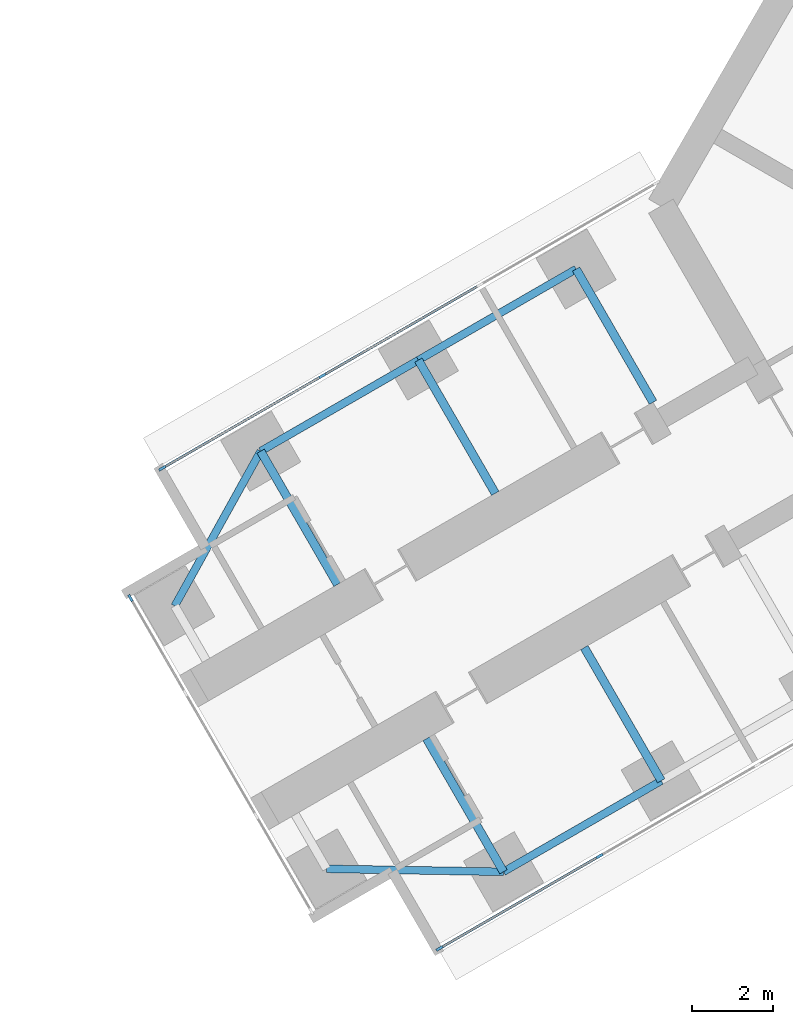
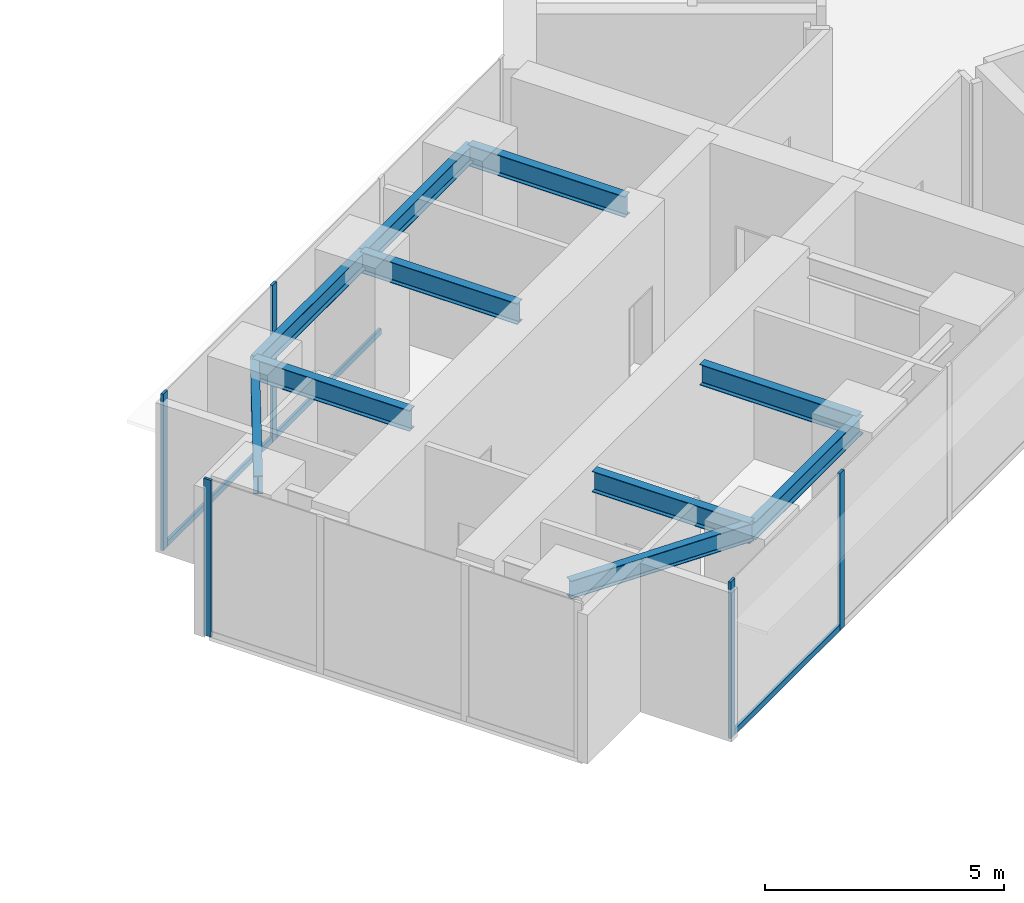
# One storey, part 4 of 24: 10 beams, 8 members, 3 elements without a shape of their own.
"""IFC4 building model written with IfcOpenShell, lengths in metres."""

from ifc_helpers import new_model, si_unit, direction, frame, origin, origin_2d, place, context, subcontext, project, spatial, rectangle, i_section, extrude, material, material_profile, profile_set, type_object, element, aggregate, save


model = new_model("IFC4")

# Units and contexts
model_context = context("Model", 3, precision=1e-05, world=origin(), true_north=direction((0.0, 1.0)))
body_context = subcontext(model_context, "Body", "Model", "MODEL_VIEW")
ifc_project = project(units=[si_unit("LENGTHUNIT", "METRE"), si_unit("AREAUNIT", "SQUARE_METRE"), si_unit("VOLUMEUNIT", "CUBIC_METRE"), si_unit("PLANEANGLEUNIT", "RADIAN"), si_unit("MASSUNIT", "GRAM", prefix="KILO")], contexts=[model_context])

# Site, building, storey
site_placement = place(None, origin())
site = spatial("IfcSite", under=ifc_project, at=site_placement, CompositionType="ELEMENT")
building_placement = place(site_placement, origin())
building = spatial("IfcBuilding", under=site, at=building_placement, Name="Upepo Twin Towers", CompositionType="ELEMENT")
storey_placement = place(building_placement, frame((0.0, 0.0, 52.5)))
storey = spatial("IfcBuildingStorey", under=building, at=storey_placement, Name="L12", CompositionType="ELEMENT", Elevation=52.5)

# Beams
ifc_material_1 = material(Name="Steel S355", Category="steel")
ifc_material_profile_1 = material_profile(ifc_material_1, i_section(OverallWidth=0.1904296875, OverallDepth=0.45703125, WebThickness=0.009033203125, FlangeThickness=0.014404296875, FilletRadius=0.01025390625, at=origin_2d()), Name="UB 457x191x74")
ifc_profile_set_1 = profile_set([ifc_material_profile_1], Name="Steel S355")
beam_type_1 = type_object("IfcBeamType", Name="Beam UB 457x191x74", PredefinedType="BEAM", material=ifc_profile_set_1)
beam_1_placement = place(storey_placement, frame((45.91162109375, -32.196044921875, 3.571533203125), z_axis=(-0.866031096941, -0.499990139034, 0.0), x_axis=(0.499990139034, -0.866031096941, 0.0)))
element("IfcBeam", 1, at=beam_1_placement, inside=storey, type_object=beam_type_1, Name="T2 edge beam BL 18.0-22.5", PredefinedType="BEAM", context=body_context, shape_type="SweptSolid", body=[
    extrude(i_section(OverallWidth=0.1904296875, OverallDepth=0.45703125, WebThickness=0.009033203125, FlangeThickness=0.014404296875, FilletRadius=0.01025390625, at=origin_2d()), origin(), (0.0, 0.0, 1.0), 4.5),
])
beam_2_placement = place(storey_placement, frame((42.014404296875, -34.446044921875, 3.571533203125), z_axis=(-0.999858804832, 0.016803880528, 0.0), x_axis=(-0.016803880528, -0.999858804832, 0.0)))
element("IfcBeam", 2, at=beam_2_placement, inside=storey, type_object=beam_type_1, Name="T2 nose edge beam BL", PredefinedType="BEAM", context=body_context, shape_type="SweptSolid", body=[
    extrude(i_section(OverallWidth=0.1904296875, OverallDepth=0.45703125, WebThickness=0.009033203125, FlangeThickness=0.014404296875, FilletRadius=0.01025390625, at=origin_2d()), origin(), (0.0, 0.0, 1.0), 4.373291015625),
])
beam_3_placement = place(storey_placement, frame((43.80859375, -19.553955078125, 3.571533203125), z_axis=(-0.866017533419, -0.500013631625, 0.0), x_axis=(0.500013631625, -0.866017533419, 0.0)))
element("IfcBeam", 3, at=beam_3_placement, inside=storey, type_object=beam_type_1, Name="T2 edge beam BR 13.5-18.0", PredefinedType="BEAM", context=body_context, shape_type="SweptSolid", body=[
    extrude(i_section(OverallWidth=0.1904296875, OverallDepth=0.45703125, WebThickness=0.009033203125, FlangeThickness=0.014404296875, FilletRadius=0.01025390625, at=origin_2d()), origin(), (0.0, 0.0, 1.0), 4.499755859375),
])
beam_4_placement = place(storey_placement, frame((39.91162109375, -21.803955078125, 3.571533203125), z_axis=(-0.866031096941, -0.499990139034, 0.0), x_axis=(0.499990139034, -0.866031096941, 0.0)))
element("IfcBeam", 4, at=beam_4_placement, inside=storey, type_object=beam_type_1, Name="T2 edge beam BR 18.0-22.5", PredefinedType="BEAM", context=body_context, shape_type="SweptSolid", body=[
    extrude(i_section(OverallWidth=0.1904296875, OverallDepth=0.45703125, WebThickness=0.009033203125, FlangeThickness=0.014404296875, FilletRadius=0.01025390625, at=origin_2d()), origin(), (0.0, 0.0, 1.0), 4.5),
])
beam_5_placement = place(storey_placement, frame((36.014404296875, -24.053955078125, 3.571533203125), z_axis=(-0.485363242752, -0.874312600038, 0.0), x_axis=(0.874312600038, -0.485363242752, 0.0)))
element("IfcBeam", 5, at=beam_5_placement, inside=storey, type_object=beam_type_1, Name="T2 nose edge beam BR", PredefinedType="BEAM", context=body_context, shape_type="SweptSolid", body=[
    extrude(i_section(OverallWidth=0.1904296875, OverallDepth=0.45703125, WebThickness=0.009033203125, FlangeThickness=0.014404296875, FilletRadius=0.01025390625, at=origin_2d()), origin(), (0.0, 0.0, 1.0), 4.373046875),
])
ifc_material_2 = material(Name="Steel S355", Category="steel")
ifc_material_profile_2 = material_profile(ifc_material_2, i_section(OverallWidth=0.209228515625, OverallDepth=0.533203125, WebThickness=0.010009765625, FlangeThickness=0.015625, FilletRadius=0.0126953125, at=origin_2d()), Name="UB 533x210x92")
ifc_profile_set_2 = profile_set([ifc_material_profile_2], Name="Steel S355")
beam_type_2 = type_object("IfcBeamType", Name="Beam UB 533x210x92", PredefinedType="BEAM", material=ifc_profile_set_2)
beam_6_placement = place(storey_placement, frame((45.91162109375, -32.196044921875, 3.533447265625), z_axis=(-0.500043160704, 0.866000483506, 0.0), x_axis=(-0.866000483506, -0.500043160704, 0.0)))
element("IfcBeam", 6, at=beam_6_placement, inside=storey, type_object=beam_type_2, Name="T2 girder BL at 18.0", PredefinedType="BEAM", context=body_context, shape_type="SweptSolid", body=[
    extrude(i_section(OverallWidth=0.209228515625, OverallDepth=0.533203125, WebThickness=0.010009765625, FlangeThickness=0.015625, FilletRadius=0.0126953125, at=origin_2d()), origin(), (0.0, 0.0, 1.0), 3.800048828125),
])
beam_7_placement = place(storey_placement, frame((42.014404296875, -34.446044921875, 3.533447265625), z_axis=(-0.499994975061, 0.866028304915, 0.0), x_axis=(-0.866028304915, -0.499994975061, 0.0)))
element("IfcBeam", 7, at=beam_7_placement, inside=storey, type_object=beam_type_2, Name="T2 girder BL at 22.5", PredefinedType="BEAM", context=body_context, shape_type="SweptSolid", body=[
    extrude(i_section(OverallWidth=0.209228515625, OverallDepth=0.533203125, WebThickness=0.010009765625, FlangeThickness=0.015625, FilletRadius=0.0126953125, at=origin_2d()), origin(), (0.0, 0.0, 1.0), 3.7998046875),
])
beam_8_placement = place(storey_placement, frame((43.80859375, -19.553955078125, 3.533447265625), z_axis=(0.500043160704, -0.866000483506, 0.0), x_axis=(0.866000483506, 0.500043160704, 0.0)))
element("IfcBeam", 8, at=beam_8_placement, inside=storey, type_object=beam_type_2, Name="T2 girder BR at 13.5", PredefinedType="BEAM", context=body_context, shape_type="SweptSolid", body=[
    extrude(i_section(OverallWidth=0.209228515625, OverallDepth=0.533203125, WebThickness=0.010009765625, FlangeThickness=0.015625, FilletRadius=0.0126953125, at=origin_2d()), origin(), (0.0, 0.0, 1.0), 3.800048828125),
])
for number, where, z_axis, x_axis, name in (
    (9, (39.91162109375, -21.803955078125, 3.533447265625), (0.499994975061, -0.866028304915, 0.0), (0.866028304915, 0.499994975061, 0.0), "T2 girder BR at 18.0"),
    (10, (36.014404296875, -24.053955078125, 3.533447265625), (0.499994975061, -0.866028304915, 0.0), (0.866028304915, 0.499994975061, 0.0), "T2 girder BR at 22.5"),
):
    element("IfcBeam", number, at=place(storey_placement, frame(where, z_axis=z_axis, x_axis=x_axis)), inside=storey, type_object=beam_type_2, Name=name, PredefinedType="BEAM", context=body_context, shape_type="SweptSolid", body=[
        extrude(i_section(OverallWidth=0.209228515625, OverallDepth=0.533203125, WebThickness=0.010009765625, FlangeThickness=0.015625, FilletRadius=0.0126953125, at=origin_2d()), origin(), (0.0, 0.0, 1.0), 3.7998046875),
    ])

# Curtain wall, members
ifc_material_3 = material(Name="Aluminium and fritted glass", Category="aluminium")
curtain_wall_type = type_object("IfcCurtainWallType", Name="Tower curtain wall TW1, fritted glass", PredefinedType="NOTDEFINED", material=ifc_material_3)
curtain_wall_1_placement = place(storey_placement, origin())
curtain_wall_1 = element("IfcCurtainWall", 11, at=curtain_wall_1_placement, inside=storey, type_object=curtain_wall_type, Name="T2 L12 wing B flank L curtain wall", PredefinedType="NOTDEFINED")
ifc_material_4 = material(Name="Aluminium mullion", Category="aluminium")
ifc_material_profile_3 = material_profile(ifc_material_4, rectangle(XDim=0.06494140625, YDim=0.179931640625, at=origin_2d()), Name="MULLION 65x180")
ifc_profile_set_3 = profile_set([ifc_material_profile_3], Name="Aluminium mullion")
member_type_1 = type_object("IfcMemberType", Name="Mullion 65x180 TW1", PredefinedType="MULLION", material=ifc_profile_set_3)
member_1_placement = place(storey_placement, frame((44.387939453125, -34.057373046875, 0.0), z_axis=(0.0, 0.0, 1.0), x_axis=(0.500000024426, -0.866025389682, 0.0)))
member_1 = element("IfcMember", 12, at=member_1_placement, type_object=member_type_1, Name="T2 L12 wing B flank L curtain wall mullion 3", PredefinedType="MULLION", context=body_context, shape_type="SweptSolid", body=[
    extrude(rectangle(XDim=0.06494140625, YDim=0.179931640625, at=origin_2d()), origin(), (0.0, 0.0, 1.0), 4.0),
])
member_2_placement = place(storey_placement, frame((40.432373046875, -36.341064453125, 0.0), z_axis=(0.0, 0.0, 1.0), x_axis=(0.500000024426, -0.866025389682, 0.0)))
member_2 = element("IfcMember", 13, at=member_2_placement, type_object=member_type_1, Name="T2 L12 wing B flank L curtain wall mullion 4", PredefinedType="MULLION", context=body_context, shape_type="SweptSolid", body=[
    extrude(rectangle(XDim=0.06494140625, YDim=0.179931640625, at=origin_2d()), origin(), (0.0, 0.0, 1.0), 4.0),
])

curtain_wall_2_placement = place(storey_placement, origin())
curtain_wall_2 = element("IfcCurtainWall", 14, at=curtain_wall_2_placement, inside=storey, type_object=curtain_wall_type, Name="T2 L12 wing B flank R curtain wall", PredefinedType="NOTDEFINED")
member_3_placement = place(storey_placement, frame((33.58251953125, -24.4765625, 0.0), z_axis=(0.0, 0.0, 1.0), x_axis=(-0.500000024426, 0.866025389682, 0.0)))
member_3 = element("IfcMember", 15, at=member_3_placement, type_object=member_type_1, Name="T2 L12 wing B flank R curtain wall mullion 1", PredefinedType="MULLION", context=body_context, shape_type="SweptSolid", body=[
    extrude(rectangle(XDim=0.06494140625, YDim=0.179931640625, at=origin_2d()), origin(), (0.0, 0.0, 1.0), 4.0),
])
member_4_placement = place(storey_placement, frame((37.5380859375, -22.192626953125, 0.0), z_axis=(0.0, 0.0, 1.0), x_axis=(-0.500000024426, 0.866025389682, 0.0)))
member_4 = element("IfcMember", 16, at=member_4_placement, type_object=member_type_1, Name="T2 L12 wing B flank R curtain wall mullion 2", PredefinedType="MULLION", context=body_context, shape_type="SweptSolid", body=[
    extrude(rectangle(XDim=0.06494140625, YDim=0.179931640625, at=origin_2d()), origin(), (0.0, 0.0, 1.0), 4.0),
])

# Curtain wall, member
curtain_wall_3_placement = place(storey_placement, origin())
curtain_wall_3 = element("IfcCurtainWall", 17, at=curtain_wall_3_placement, inside=storey, type_object=curtain_wall_type, Name="T2 L12 wing B nose curtain wall", PredefinedType="NOTDEFINED")
member_5_placement = place(storey_placement, frame((32.796875, -27.68115234375, 0.0), z_axis=(0.0, 0.0, 1.0), x_axis=(0.866025386174, 0.500000030502, 0.0)))
member_5 = element("IfcMember", 18, at=member_5_placement, type_object=member_type_1, Name="T2 L12 wing B nose curtain wall mullion 1", PredefinedType="MULLION", context=body_context, shape_type="SweptSolid", body=[
    extrude(rectangle(XDim=0.06494140625, YDim=0.179931640625, at=origin_2d()), origin(), (0.0, 0.0, 1.0), 4.0),
])
aggregate(curtain_wall_3, [member_5])

# Member
ifc_material_5 = material(Name="Aluminium transom", Category="aluminium")
ifc_material_profile_4 = material_profile(ifc_material_5, rectangle(XDim=0.06494140625, YDim=0.14990234375, at=origin_2d()), Name="TRANSOM 65x150")
ifc_profile_set_4 = profile_set([ifc_material_profile_4], Name="Aluminium transom")
member_type_2 = type_object("IfcMemberType", Name="Transom 65x150 TW1", PredefinedType="USERDEFINED", material=ifc_profile_set_4)
member_6_placement = place(storey_placement, frame((44.35986328125, -34.073486328125, 0.074951171875), z_axis=(-0.866035699072, -0.499982167615, 0.0), x_axis=(0.499982167615, -0.866035699072, 0.0)))
member_6 = element("IfcMember", 19, at=member_6_placement, type_object=member_type_2, Name="T2 L12 wing B flank L curtain wall transom 3", ObjectType="TRANSOM", PredefinedType="USERDEFINED", context=body_context, shape_type="SweptSolid", body=[
    extrude(rectangle(XDim=0.06494140625, YDim=0.14990234375, at=origin_2d()), origin(), (0.0, 0.0, 1.0), 4.502685546875),
])

aggregate(curtain_wall_1, [member_1, member_2, member_6])

member_7_placement = place(storey_placement, frame((33.610595703125, -24.460205078125, 0.074951171875), z_axis=(0.866022143554, 0.500005646842, 0.0), x_axis=(-0.500005646842, 0.866022143554, 0.0)))
member_7 = element("IfcMember", 20, at=member_7_placement, type_object=member_type_2, Name="T2 L12 wing B flank R curtain wall transom 1", ObjectType="TRANSOM", PredefinedType="USERDEFINED", context=body_context, shape_type="SweptSolid", body=[
    extrude(rectangle(XDim=0.06494140625, YDim=0.14990234375, at=origin_2d()), origin(), (0.0, 0.0, 1.0), 4.50244140625),
])

member_8_placement = place(storey_placement, frame((37.566162109375, -22.176513671875, 0.074951171875), z_axis=(0.866022410713, 0.500005184116, 0.0), x_axis=(-0.500005184116, 0.866022410713, 0.0)))
member_8 = element("IfcMember", 21, at=member_8_placement, type_object=member_type_2, Name="T2 L12 wing B flank R curtain wall transom 2", ObjectType="TRANSOM", PredefinedType="USERDEFINED", context=body_context, shape_type="SweptSolid", body=[
    extrude(rectangle(XDim=0.06494140625, YDim=0.14990234375, at=origin_2d()), origin(), (0.0, 0.0, 1.0), 4.43505859375),
])

aggregate(curtain_wall_2, [member_3, member_4, member_7, member_8])

save(model, "model.ifc")
